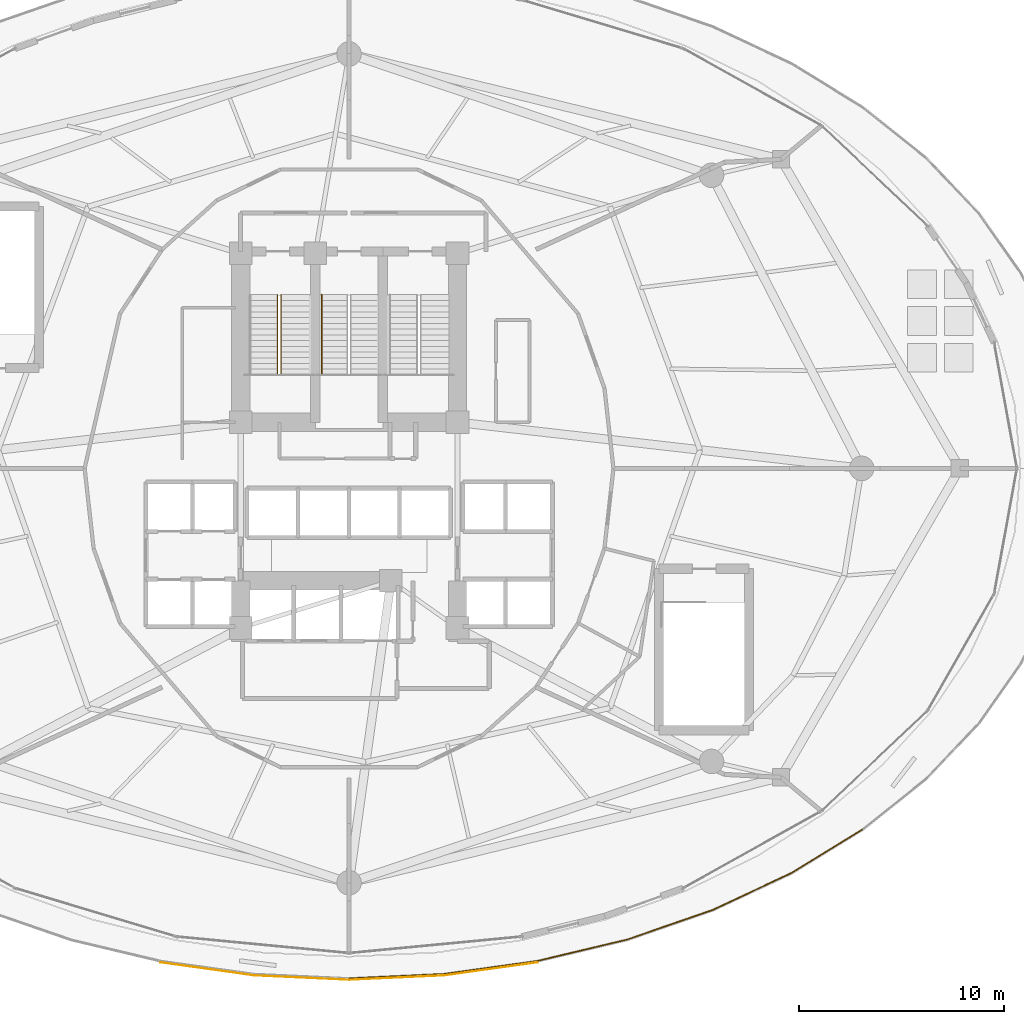
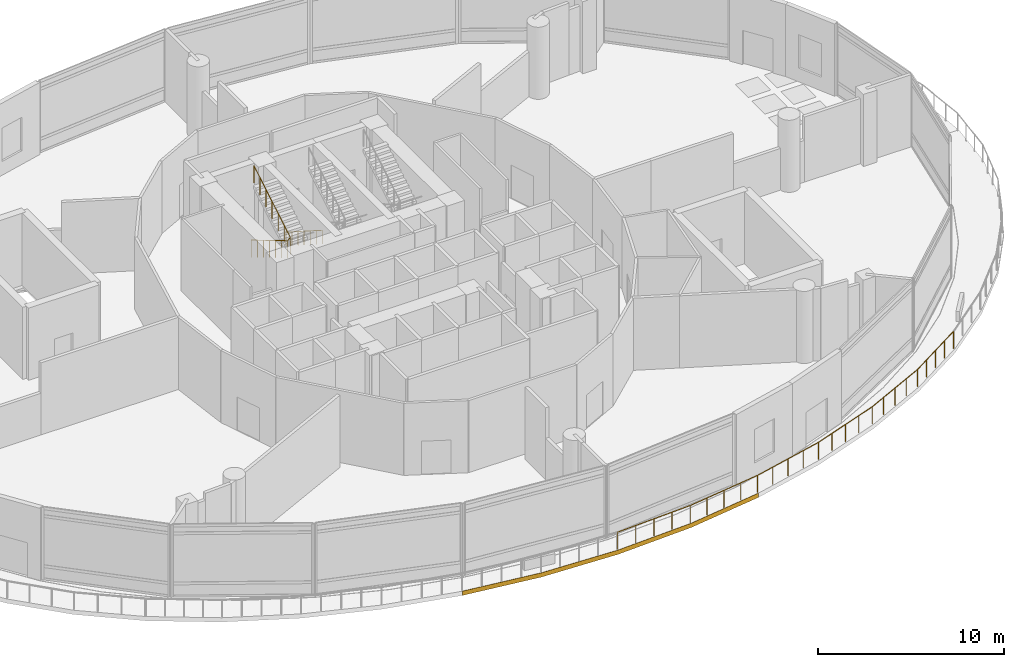
# One storey, part 31 of 34: 3 railings, 1 covering.
"""IFC4 building model written with IfcOpenShell, lengths in metres."""

from ifc_helpers import new_model, si_unit, direction, frame, origin, place, context, subcontext, project, spatial, polyline, outline, extrude, material, layer, layer_set, type_object, element, save


model = new_model("IFC4")

# Units and contexts
model_context = context("Model", 3, precision=1e-05, world=origin(), true_north=direction((0.0, 1.0)))
body_context = subcontext(model_context, "Body", "Model", "MODEL_VIEW")
ifc_project = project(units=[si_unit("LENGTHUNIT", "METRE"), si_unit("AREAUNIT", "SQUARE_METRE"), si_unit("VOLUMEUNIT", "CUBIC_METRE"), si_unit("PLANEANGLEUNIT", "RADIAN"), si_unit("MASSUNIT", "GRAM", prefix="KILO")], contexts=[model_context])

# Site, building, storey
site_placement = place(None, origin())
site = spatial("IfcSite", under=ifc_project, at=site_placement, CompositionType="ELEMENT")
building_placement = place(site_placement, origin())
building = spatial("IfcBuilding", under=site, at=building_placement, Name="Nuhasar Tower", CompositionType="ELEMENT")
storey_placement = place(building_placement, frame((0.0, 0.0, 16.0)))
storey = spatial("IfcBuildingStorey", under=building, at=storey_placement, Name="L03", CompositionType="ELEMENT", Elevation=16.0)

# Covering
ifc_material_1 = material(Name="Aluminium 6063-T6", Category="aluminium")
ifc_layer = layer(ifc_material_1, 0.014892578125)
ifc_layer_set = layer_set([ifc_layer], Name="Aluminium 6063-T6")
covering_type = type_object("IfcCoveringType", Name="COV-CLD-BRZ15", PredefinedType="CLADDING", material=ifc_layer_set)
covering_placement = place(storey_placement, frame((0.0, 0.0, -0.280029296875)))
element("IfcCovering", 1, at=covering_placement, inside=storey, type_object=covering_type, Name="L03 Bustan Terrace Bronze Fascia Cladding South", PredefinedType="CLADDING", context=body_context, shape_type="SweptSolid", body=[
    extrude(outline(polyline([(29.785888671875, 2.652099609375), (34.35302734375, 2.013916015625), (39.0, 1.800048828125), (43.64697265625, 2.013916015625), (48.214111328125, 2.652099609375), (48.2099609375, 2.666015625), (43.64501953125, 2.029052734375), (39.0, 1.81494140625), (34.35498046875, 2.029052734375), (29.7900390625, 2.666015625), (29.785888671875, 2.652099609375)])), origin(), (0.0, 0.0, 1.0), 0.280029296875),
])

# Railings
ifc_material_2 = material(Name="Steel S355", Category="steel")
railing_type_1 = type_object("IfcRailingType", Name="RLG-STAIR-GUARD-1150", PredefinedType="GUARDRAIL", material=ifc_material_2)
railing_1_placement = place(storey_placement, frame((35.510009765625, 35.284912109375, 0.1669921875)))
element("IfcRailing", 2, at=railing_1_placement, inside=storey, type_object=railing_type_1, Name="L03 Stair ST-01 Guardrail SLT", PredefinedType="GUARDRAIL", context=body_context, shape_type="SweptSolid", body=[
    extrude(outline(polyline([(0.024169921875, 0.0), (0.01708984375, 0.01708984375), (0.0, 0.024169921875), (-0.01708984375, 0.01708984375), (-0.024169921875, 0.0), (-0.01708984375, -0.01708984375), (0.0, -0.024169921875), (0.01708984375, -0.01708984375), (0.024169921875, 0.0)])), frame((0.0, 0.0, 1.1259765625), z_axis=(0.0, -0.85931976652, 0.511438695121), x_axis=(1.0, 0.0, 0.0)), (0.0, 0.0, 1.0), 4.561767578125),
    extrude(outline(polyline([(0.024169921875, 0.0), (0.01708984375, 0.01708984375), (0.0, 0.024169921875), (-0.01708984375, 0.01708984375), (-0.024169921875, 0.0), (-0.01708984375, -0.01708984375), (0.0, -0.024169921875), (0.01708984375, -0.01708984375), (0.024169921875, 0.0)])), frame((0.0, -3.919921875, 3.458984375), z_axis=(0.691630103864, 0.0, 0.722251894722), x_axis=(0.0, 1.0, 0.0)), (0.0, 0.0, 1.0), 0.231201171875),
    extrude(outline(polyline([(0.024169921875, 0.0), (0.01708984375, 0.01708984375), (0.0, 0.024169921875), (-0.01708984375, 0.01708984375), (-0.024169921875, 0.0), (-0.01708984375, -0.01708984375), (0.0, -0.024169921875), (0.01708984375, -0.01708984375), (0.024169921875, 0.0)])), frame((0.159912109375, -3.919921875, 3.6259765625), z_axis=(0.0, 0.85931976652, 0.511438695121), x_axis=(-1.0, 0.0, 0.0)), (0.0, 0.0, 1.0), 4.561767578125),
    extrude(outline(polyline([(0.02099609375, 0.0), (0.014892578125, 0.014892578125), (0.0, 0.02099609375), (-0.014892578125, 0.014892578125), (-0.02099609375, 0.0), (-0.014892578125, -0.014892578125), (0.0, -0.02099609375), (0.014892578125, -0.014892578125), (0.02099609375, 0.0)])), origin(), (0.0, 0.0, 1.0), 1.101806640625),
    extrude(outline(polyline([(0.02099609375, 0.0), (0.014892578125, 0.014892578125), (0.0, 0.02099609375), (-0.014892578125, 0.014892578125), (-0.02099609375, 0.0), (-0.014892578125, -0.014892578125), (0.0, -0.02099609375), (0.014892578125, -0.014892578125), (0.02099609375, 0.0)])), frame((0.0, -0.6533203125, 0.388916015625)), (0.0, 0.0, 1.0), 1.101806640625),
    extrude(outline(polyline([(0.02099609375, 0.0), (0.014892578125, 0.014892578125), (0.0, 0.02099609375), (-0.014892578125, 0.014892578125), (-0.02099609375, 0.0), (-0.014892578125, -0.014892578125), (0.0, -0.02099609375), (0.014892578125, -0.014892578125), (0.02099609375, 0.0)])), frame((0.0, -1.306640625, 0.777587890625)), (0.0, 0.0, 1.0), 1.101806640625),
    extrude(outline(polyline([(0.02099609375, 0.0), (0.014892578125, 0.014892578125), (0.0, 0.02099609375), (-0.014892578125, 0.014892578125), (-0.02099609375, 0.0), (-0.014892578125, -0.014892578125), (0.0, -0.02099609375), (0.014892578125, -0.014892578125), (0.02099609375, 0.0)])), frame((0.0, -1.9599609375, 1.16650390625)), (0.0, 0.0, 1.0), 1.101806640625),
    extrude(outline(polyline([(0.02099609375, 0.0), (0.014892578125, 0.014892578125), (0.0, 0.02099609375), (-0.014892578125, 0.014892578125), (-0.02099609375, 0.0), (-0.014892578125, -0.014892578125), (0.0, -0.02099609375), (0.014892578125, -0.014892578125), (0.02099609375, 0.0)])), frame((0.0, -2.61328125, 1.555419921875)), (0.0, 0.0, 1.0), 1.101806640625),
    extrude(outline(polyline([(0.02099609375, 0.0), (0.014892578125, 0.014892578125), (0.0, 0.02099609375), (-0.014892578125, 0.014892578125), (-0.02099609375, 0.0), (-0.014892578125, -0.014892578125), (0.0, -0.02099609375), (0.014892578125, -0.014892578125), (0.02099609375, 0.0)])), frame((0.0, -3.2666015625, 1.944091796875)), (0.0, 0.0, 1.0), 1.101806640625),
    extrude(outline(polyline([(0.02099609375, 0.0), (0.014892578125, 0.014892578125), (0.0, 0.02099609375), (-0.014892578125, 0.014892578125), (-0.02099609375, 0.0), (-0.014892578125, -0.014892578125), (0.0, -0.02099609375), (0.014892578125, -0.014892578125), (0.02099609375, 0.0)])), frame((0.0, -3.919921875, 2.3330078125)), (0.0, 0.0, 1.0), 1.101806640625),
    extrude(outline(polyline([(0.02099609375, 0.0), (0.014892578125, 0.014892578125), (0.0, 0.02099609375), (-0.014892578125, 0.014892578125), (-0.02099609375, 0.0), (-0.014892578125, -0.014892578125), (0.0, -0.02099609375), (0.014892578125, -0.014892578125), (0.02099609375, 0.0)])), frame((0.159912109375, -3.919921875, 2.5)), (0.0, 0.0, 1.0), 1.101806640625),
    extrude(outline(polyline([(0.02099609375, 0.0), (0.014892578125, 0.014892578125), (0.0, 0.02099609375), (-0.014892578125, 0.014892578125), (-0.02099609375, 0.0), (-0.014892578125, -0.014892578125), (0.0, -0.02099609375), (0.014892578125, -0.014892578125), (0.02099609375, 0.0)])), frame((0.159912109375, -3.2666015625, 2.888916015625)), (0.0, 0.0, 1.0), 1.101806640625),
    extrude(outline(polyline([(0.02099609375, 0.0), (0.014892578125, 0.014892578125), (0.0, 0.02099609375), (-0.014892578125, 0.014892578125), (-0.02099609375, 0.0), (-0.014892578125, -0.014892578125), (0.0, -0.02099609375), (0.014892578125, -0.014892578125), (0.02099609375, 0.0)])), frame((0.159912109375, -2.61328125, 3.277587890625)), (0.0, 0.0, 1.0), 1.101806640625),
    extrude(outline(polyline([(0.02099609375, 0.0), (0.014892578125, 0.014892578125), (0.0, 0.02099609375), (-0.014892578125, 0.014892578125), (-0.02099609375, 0.0), (-0.014892578125, -0.014892578125), (0.0, -0.02099609375), (0.014892578125, -0.014892578125), (0.02099609375, 0.0)])), frame((0.159912109375, -1.9599609375, 3.66650390625)), (0.0, 0.0, 1.0), 1.101806640625),
    extrude(outline(polyline([(0.02099609375, 0.0), (0.014892578125, 0.014892578125), (0.0, 0.02099609375), (-0.014892578125, 0.014892578125), (-0.02099609375, 0.0), (-0.014892578125, -0.014892578125), (0.0, -0.02099609375), (0.014892578125, -0.014892578125), (0.02099609375, 0.0)])), frame((0.159912109375, -1.306640625, 4.055419921875)), (0.0, 0.0, 1.0), 1.101806640625),
    extrude(outline(polyline([(0.02099609375, 0.0), (0.014892578125, 0.014892578125), (0.0, 0.02099609375), (-0.014892578125, 0.014892578125), (-0.02099609375, 0.0), (-0.014892578125, -0.014892578125), (0.0, -0.02099609375), (0.014892578125, -0.014892578125), (0.02099609375, 0.0)])), frame((0.159912109375, -0.6533203125, 4.444091796875)), (0.0, 0.0, 1.0), 1.101806640625),
    extrude(outline(polyline([(0.02099609375, 0.0), (0.014892578125, 0.014892578125), (0.0, 0.02099609375), (-0.014892578125, 0.014892578125), (-0.02099609375, 0.0), (-0.014892578125, -0.014892578125), (0.0, -0.02099609375), (0.014892578125, -0.014892578125), (0.02099609375, 0.0)])), frame((0.159912109375, 0.0, 4.8330078125)), (0.0, 0.0, 1.0), 1.101806640625),
])
ifc_material_3 = material(Name="Stainless Steel 316L", Category="steel")
railing_type_2 = type_object("IfcRailingType", Name="RLG-STAIR-HAND-920", PredefinedType="HANDRAIL", material=ifc_material_3)
railing_2_placement = place(storey_placement, frame((37.659912109375, 35.284912109375, 0.1669921875)))
element("IfcRailing", 3, at=railing_2_placement, inside=storey, type_object=railing_type_2, Name="L03 Stair ST-03 Handrail HND1", PredefinedType="HANDRAIL", context=body_context, shape_type="SweptSolid", body=[
    extrude(outline(polyline([(0.024169921875, 0.0), (0.01708984375, 0.01708984375), (0.0, 0.024169921875), (-0.01708984375, 0.01708984375), (-0.024169921875, 0.0), (-0.01708984375, -0.01708984375), (0.0, -0.024169921875), (0.01708984375, -0.01708984375), (0.024169921875, 0.0)])), frame((0.0, 0.0, 0.89599609375), z_axis=(0.0, -0.843124831705, 0.537717879712), x_axis=(1.0, 0.0, 0.0)), (0.0, 0.0, 1.0), 4.649169921875),
    extrude(outline(polyline([(0.02099609375, 0.0), (0.014892578125, 0.014892578125), (0.0, 0.02099609375), (-0.014892578125, 0.014892578125), (-0.02099609375, 0.0), (-0.014892578125, -0.014892578125), (0.0, -0.02099609375), (0.014892578125, -0.014892578125), (0.02099609375, 0.0)])), origin(), (0.0, 0.0, 1.0), 0.871826171875),
    extrude(outline(polyline([(0.02099609375, 0.0), (0.014892578125, 0.014892578125), (0.0, 0.02099609375), (-0.014892578125, 0.014892578125), (-0.02099609375, 0.0), (-0.014892578125, -0.014892578125), (0.0, -0.02099609375), (0.014892578125, -0.014892578125), (0.02099609375, 0.0)])), frame((0.0, -0.6533203125, 0.416748046875)), (0.0, 0.0, 1.0), 0.871826171875),
    extrude(outline(polyline([(0.02099609375, 0.0), (0.014892578125, 0.014892578125), (0.0, 0.02099609375), (-0.014892578125, 0.014892578125), (-0.02099609375, 0.0), (-0.014892578125, -0.014892578125), (0.0, -0.02099609375), (0.014892578125, -0.014892578125), (0.02099609375, 0.0)])), frame((0.0, -1.306640625, 0.833251953125)), (0.0, 0.0, 1.0), 0.871826171875),
    extrude(outline(polyline([(0.02099609375, 0.0), (0.014892578125, 0.014892578125), (0.0, 0.02099609375), (-0.014892578125, 0.014892578125), (-0.02099609375, 0.0), (-0.014892578125, -0.014892578125), (0.0, -0.02099609375), (0.014892578125, -0.014892578125), (0.02099609375, 0.0)])), frame((0.0, -1.9599609375, 1.25)), (0.0, 0.0, 1.0), 0.871826171875),
    extrude(outline(polyline([(0.02099609375, 0.0), (0.014892578125, 0.014892578125), (0.0, 0.02099609375), (-0.014892578125, 0.014892578125), (-0.02099609375, 0.0), (-0.014892578125, -0.014892578125), (0.0, -0.02099609375), (0.014892578125, -0.014892578125), (0.02099609375, 0.0)])), frame((0.0, -2.61328125, 1.666748046875)), (0.0, 0.0, 1.0), 0.871826171875),
    extrude(outline(polyline([(0.02099609375, 0.0), (0.014892578125, 0.014892578125), (0.0, 0.02099609375), (-0.014892578125, 0.014892578125), (-0.02099609375, 0.0), (-0.014892578125, -0.014892578125), (0.0, -0.02099609375), (0.014892578125, -0.014892578125), (0.02099609375, 0.0)])), frame((0.0, -3.2666015625, 2.083251953125)), (0.0, 0.0, 1.0), 0.871826171875),
    extrude(outline(polyline([(0.02099609375, 0.0), (0.014892578125, 0.014892578125), (0.0, 0.02099609375), (-0.014892578125, 0.014892578125), (-0.02099609375, 0.0), (-0.014892578125, -0.014892578125), (0.0, -0.02099609375), (0.014892578125, -0.014892578125), (0.02099609375, 0.0)])), frame((0.0, -3.919921875, 2.5)), (0.0, 0.0, 1.0), 0.871826171875),
])
railing_type_3 = type_object("IfcRailingType", Name="RLG-TERR-1150", PredefinedType="BALUSTRADE", material=ifc_material_2)
railing_3_placement = place(storey_placement, frame((39.0, 1.8798828125, 0.0)))
element("IfcRailing", 4, at=railing_3_placement, inside=storey, type_object=railing_type_3, Name="L03 Bustan Terrace Perimeter Balustrade 07", PredefinedType="BALUSTRADE", context=body_context, shape_type="SweptSolid", body=[
    extrude(outline(polyline([(0.024169921875, 0.0), (0.01708984375, 0.01708984375), (0.0, 0.024169921875), (-0.01708984375, 0.01708984375), (-0.024169921875, 0.0), (-0.01708984375, -0.01708984375), (0.0, -0.024169921875), (0.01708984375, -0.01708984375), (0.024169921875, 0.0)])), frame((0.0, 0.0, 1.1259765625), z_axis=(0.99894486866, 0.045925476346, 0.0), x_axis=(-0.045925476346, 0.99894486866, 0.0)), (0.0, 0.0, 1.0), 4.640869140625),
    extrude(outline(polyline([(0.024169921875, 0.0), (0.01708984375, 0.01708984375), (0.0, 0.024169921875), (-0.01708984375, 0.01708984375), (-0.024169921875, 0.0), (-0.01708984375, -0.01708984375), (0.0, -0.024169921875), (0.01708984375, -0.01708984375), (0.024169921875, 0.0)])), frame((4.635986328125, 0.213134765625, 1.1259765625), z_axis=(0.990401686218, 0.138219028854, 0.0), x_axis=(-0.138219028854, 0.990401686218, 0.0)), (0.0, 0.0, 1.0), 4.601318359375),
    extrude(outline(polyline([(0.024169921875, 0.0), (0.01708984375, 0.01708984375), (0.0, 0.024169921875), (-0.01708984375, 0.01708984375), (-0.024169921875, 0.0), (-0.01708984375, -0.01708984375), (0.0, -0.024169921875), (0.01708984375, -0.01708984375), (0.024169921875, 0.0)])), frame((9.193115234375, 0.84912109375, 1.1259765625), z_axis=(0.972781305311, 0.231725121723, 0.0), x_axis=(-0.231725121723, 0.972781305311, 0.0)), (0.0, 0.0, 1.0), 4.52294921875),
    extrude(outline(polyline([(0.024169921875, 0.0), (0.01708984375, 0.01708984375), (0.0, 0.024169921875), (-0.01708984375, 0.01708984375), (-0.024169921875, 0.0), (-0.01708984375, -0.01708984375), (0.0, -0.024169921875), (0.01708984375, -0.01708984375), (0.024169921875, 0.0)])), frame((13.593017578125, 1.897216796875, 1.1259765625), z_axis=(0.945022930753, 0.327004067789, 0.0), x_axis=(-0.327004067789, 0.945022930753, 0.0)), (0.0, 0.0, 1.0), 4.409423828125),
    extrude(outline(polyline([(0.024169921875, 0.0), (0.01708984375, 0.01708984375), (0.0, 0.024169921875), (-0.01708984375, 0.01708984375), (-0.024169921875, 0.0), (-0.01708984375, -0.01708984375), (0.0, -0.024169921875), (0.01708984375, -0.01708984375), (0.024169921875, 0.0)])), frame((17.760009765625, 3.339111328125, 1.1259765625), z_axis=(0.905437630864, 0.424479324132, 0.0), x_axis=(-0.424479324132, 0.905437630864, 0.0)), (0.0, 0.0, 1.0), 4.2666015625),
    extrude(outline(polyline([(0.024169921875, 0.0), (0.01708984375, 0.01708984375), (0.0, 0.024169921875), (-0.01708984375, 0.01708984375), (-0.024169921875, 0.0), (-0.01708984375, -0.01708984375), (0.0, -0.024169921875), (0.01708984375, -0.01708984375), (0.024169921875, 0.0)])), frame((21.623046875, 5.150146484375, 1.1259765625), z_axis=(0.851732615413, 0.523976671085, 0.0), x_axis=(-0.523976671085, 0.851732615413, 0.0)), (0.0, 0.0, 1.0), 4.06103515625),
    extrude(outline(polyline([(0.02099609375, 0.0), (0.014892578125, 0.014892578125), (0.0, 0.02099609375), (-0.014892578125, 0.014892578125), (-0.02099609375, 0.0), (-0.014892578125, -0.014892578125), (0.0, -0.02099609375), (0.014892578125, -0.014892578125), (0.02099609375, 0.0)])), origin(), (0.0, 0.0, 1.0), 1.101806640625),
    extrude(outline(polyline([(0.02099609375, 0.0), (0.014892578125, 0.014892578125), (0.0, 0.02099609375), (-0.014892578125, 0.014892578125), (-0.02099609375, 0.0), (-0.014892578125, -0.014892578125), (0.0, -0.02099609375), (0.014892578125, -0.014892578125), (0.02099609375, 0.0)])), frame((1.158935546875, 0.05322265625, 0.0)), (0.0, 0.0, 1.0), 1.101806640625),
    extrude(outline(polyline([(0.02099609375, 0.0), (0.014892578125, 0.014892578125), (0.0, 0.02099609375), (-0.014892578125, 0.014892578125), (-0.02099609375, 0.0), (-0.014892578125, -0.014892578125), (0.0, -0.02099609375), (0.014892578125, -0.014892578125), (0.02099609375, 0.0)])), frame((2.31787109375, 0.1064453125, 0.0)), (0.0, 0.0, 1.0), 1.101806640625),
    extrude(outline(polyline([(0.02099609375, 0.0), (0.014892578125, 0.014892578125), (0.0, 0.02099609375), (-0.014892578125, 0.014892578125), (-0.02099609375, 0.0), (-0.014892578125, -0.014892578125), (0.0, -0.02099609375), (0.014892578125, -0.014892578125), (0.02099609375, 0.0)])), frame((3.47705078125, 0.159912109375, 0.0)), (0.0, 0.0, 1.0), 1.101806640625),
    extrude(outline(polyline([(0.02099609375, 0.0), (0.014892578125, 0.014892578125), (0.0, 0.02099609375), (-0.014892578125, 0.014892578125), (-0.02099609375, 0.0), (-0.014892578125, -0.014892578125), (0.0, -0.02099609375), (0.014892578125, -0.014892578125), (0.02099609375, 0.0)])), frame((4.635986328125, 0.213134765625, 0.0)), (0.0, 0.0, 1.0), 1.101806640625),
    extrude(outline(polyline([(0.02099609375, 0.0), (0.014892578125, 0.014892578125), (0.0, 0.02099609375), (-0.014892578125, 0.014892578125), (-0.02099609375, 0.0), (-0.014892578125, -0.014892578125), (0.0, -0.02099609375), (0.014892578125, -0.014892578125), (0.02099609375, 0.0)])), frame((5.775390625, 0.3720703125, 0.0)), (0.0, 0.0, 1.0), 1.101806640625),
    extrude(outline(polyline([(0.02099609375, 0.0), (0.014892578125, 0.014892578125), (0.0, 0.02099609375), (-0.014892578125, 0.014892578125), (-0.02099609375, 0.0), (-0.014892578125, -0.014892578125), (0.0, -0.02099609375), (0.014892578125, -0.014892578125), (0.02099609375, 0.0)])), frame((6.91455078125, 0.53125, 0.0)), (0.0, 0.0, 1.0), 1.101806640625),
    extrude(outline(polyline([(0.02099609375, 0.0), (0.014892578125, 0.014892578125), (0.0, 0.02099609375), (-0.014892578125, 0.014892578125), (-0.02099609375, 0.0), (-0.014892578125, -0.014892578125), (0.0, -0.02099609375), (0.014892578125, -0.014892578125), (0.02099609375, 0.0)])), frame((8.0537109375, 0.690185546875, 0.0)), (0.0, 0.0, 1.0), 1.101806640625),
    extrude(outline(polyline([(0.02099609375, 0.0), (0.014892578125, 0.014892578125), (0.0, 0.02099609375), (-0.014892578125, 0.014892578125), (-0.02099609375, 0.0), (-0.014892578125, -0.014892578125), (0.0, -0.02099609375), (0.014892578125, -0.014892578125), (0.02099609375, 0.0)])), frame((9.193115234375, 0.84912109375, 0.0)), (0.0, 0.0, 1.0), 1.101806640625),
    extrude(outline(polyline([(0.02099609375, 0.0), (0.014892578125, 0.014892578125), (0.0, 0.02099609375), (-0.014892578125, 0.014892578125), (-0.02099609375, 0.0), (-0.014892578125, -0.014892578125), (0.0, -0.02099609375), (0.014892578125, -0.014892578125), (0.02099609375, 0.0)])), frame((10.29296875, 1.111083984375, 0.0)), (0.0, 0.0, 1.0), 1.101806640625),
    extrude(outline(polyline([(0.02099609375, 0.0), (0.014892578125, 0.014892578125), (0.0, 0.02099609375), (-0.014892578125, 0.014892578125), (-0.02099609375, 0.0), (-0.014892578125, -0.014892578125), (0.0, -0.02099609375), (0.014892578125, -0.014892578125), (0.02099609375, 0.0)])), frame((11.39306640625, 1.373046875, 0.0)), (0.0, 0.0, 1.0), 1.101806640625),
    extrude(outline(polyline([(0.02099609375, 0.0), (0.014892578125, 0.014892578125), (0.0, 0.02099609375), (-0.014892578125, 0.014892578125), (-0.02099609375, 0.0), (-0.014892578125, -0.014892578125), (0.0, -0.02099609375), (0.014892578125, -0.014892578125), (0.02099609375, 0.0)])), frame((12.4931640625, 1.63525390625, 0.0)), (0.0, 0.0, 1.0), 1.101806640625),
    extrude(outline(polyline([(0.02099609375, 0.0), (0.014892578125, 0.014892578125), (0.0, 0.02099609375), (-0.014892578125, 0.014892578125), (-0.02099609375, 0.0), (-0.014892578125, -0.014892578125), (0.0, -0.02099609375), (0.014892578125, -0.014892578125), (0.02099609375, 0.0)])), frame((13.593017578125, 1.897216796875, 0.0)), (0.0, 0.0, 1.0), 1.101806640625),
    extrude(outline(polyline([(0.02099609375, 0.0), (0.014892578125, 0.014892578125), (0.0, 0.02099609375), (-0.014892578125, 0.014892578125), (-0.02099609375, 0.0), (-0.014892578125, -0.014892578125), (0.0, -0.02099609375), (0.014892578125, -0.014892578125), (0.02099609375, 0.0)])), frame((14.634765625, 2.2578125, 0.0)), (0.0, 0.0, 1.0), 1.101806640625),
    extrude(outline(polyline([(0.02099609375, 0.0), (0.014892578125, 0.014892578125), (0.0, 0.02099609375), (-0.014892578125, 0.014892578125), (-0.02099609375, 0.0), (-0.014892578125, -0.014892578125), (0.0, -0.02099609375), (0.014892578125, -0.014892578125), (0.02099609375, 0.0)])), frame((15.676513671875, 2.6181640625, 0.0)), (0.0, 0.0, 1.0), 1.101806640625),
    extrude(outline(polyline([(0.02099609375, 0.0), (0.014892578125, 0.014892578125), (0.0, 0.02099609375), (-0.014892578125, 0.014892578125), (-0.02099609375, 0.0), (-0.014892578125, -0.014892578125), (0.0, -0.02099609375), (0.014892578125, -0.014892578125), (0.02099609375, 0.0)])), frame((16.71826171875, 2.978515625, 0.0)), (0.0, 0.0, 1.0), 1.101806640625),
    extrude(outline(polyline([(0.02099609375, 0.0), (0.014892578125, 0.014892578125), (0.0, 0.02099609375), (-0.014892578125, 0.014892578125), (-0.02099609375, 0.0), (-0.014892578125, -0.014892578125), (0.0, -0.02099609375), (0.014892578125, -0.014892578125), (0.02099609375, 0.0)])), frame((17.760009765625, 3.339111328125, 0.0)), (0.0, 0.0, 1.0), 1.101806640625),
    extrude(outline(polyline([(0.02099609375, 0.0), (0.014892578125, 0.014892578125), (0.0, 0.02099609375), (-0.014892578125, 0.014892578125), (-0.02099609375, 0.0), (-0.014892578125, -0.014892578125), (0.0, -0.02099609375), (0.014892578125, -0.014892578125), (0.02099609375, 0.0)])), frame((18.725830078125, 3.7919921875, 0.0)), (0.0, 0.0, 1.0), 1.101806640625),
    extrude(outline(polyline([(0.02099609375, 0.0), (0.014892578125, 0.014892578125), (0.0, 0.02099609375), (-0.014892578125, 0.014892578125), (-0.02099609375, 0.0), (-0.014892578125, -0.014892578125), (0.0, -0.02099609375), (0.014892578125, -0.014892578125), (0.02099609375, 0.0)])), frame((19.69140625, 4.24462890625, 0.0)), (0.0, 0.0, 1.0), 1.101806640625),
    extrude(outline(polyline([(0.02099609375, 0.0), (0.014892578125, 0.014892578125), (0.0, 0.02099609375), (-0.014892578125, 0.014892578125), (-0.02099609375, 0.0), (-0.014892578125, -0.014892578125), (0.0, -0.02099609375), (0.014892578125, -0.014892578125), (0.02099609375, 0.0)])), frame((20.6572265625, 4.697265625, 0.0)), (0.0, 0.0, 1.0), 1.101806640625),
    extrude(outline(polyline([(0.02099609375, 0.0), (0.014892578125, 0.014892578125), (0.0, 0.02099609375), (-0.014892578125, 0.014892578125), (-0.02099609375, 0.0), (-0.014892578125, -0.014892578125), (0.0, -0.02099609375), (0.014892578125, -0.014892578125), (0.02099609375, 0.0)])), frame((21.623046875, 5.150146484375, 0.0)), (0.0, 0.0, 1.0), 1.101806640625),
    extrude(outline(polyline([(0.02099609375, 0.0), (0.014892578125, 0.014892578125), (0.0, 0.02099609375), (-0.014892578125, 0.014892578125), (-0.02099609375, 0.0), (-0.014892578125, -0.014892578125), (0.0, -0.02099609375), (0.014892578125, -0.014892578125), (0.02099609375, 0.0)])), frame((22.48779296875, 5.68212890625, 0.0)), (0.0, 0.0, 1.0), 1.101806640625),
    extrude(outline(polyline([(0.02099609375, 0.0), (0.014892578125, 0.014892578125), (0.0, 0.02099609375), (-0.014892578125, 0.014892578125), (-0.02099609375, 0.0), (-0.014892578125, -0.014892578125), (0.0, -0.02099609375), (0.014892578125, -0.014892578125), (0.02099609375, 0.0)])), frame((23.3525390625, 6.214111328125, 0.0)), (0.0, 0.0, 1.0), 1.101806640625),
    extrude(outline(polyline([(0.02099609375, 0.0), (0.014892578125, 0.014892578125), (0.0, 0.02099609375), (-0.014892578125, 0.014892578125), (-0.02099609375, 0.0), (-0.014892578125, -0.014892578125), (0.0, -0.02099609375), (0.014892578125, -0.014892578125), (0.02099609375, 0.0)])), frame((24.21728515625, 6.74609375, 0.0)), (0.0, 0.0, 1.0), 1.101806640625),
    extrude(outline(polyline([(0.02099609375, 0.0), (0.014892578125, 0.014892578125), (0.0, 0.02099609375), (-0.014892578125, 0.014892578125), (-0.02099609375, 0.0), (-0.014892578125, -0.014892578125), (0.0, -0.02099609375), (0.014892578125, -0.014892578125), (0.02099609375, 0.0)])), frame((25.08203125, 7.278076171875, 0.0)), (0.0, 0.0, 1.0), 1.101806640625),
])

save(model, "model.ifc")
